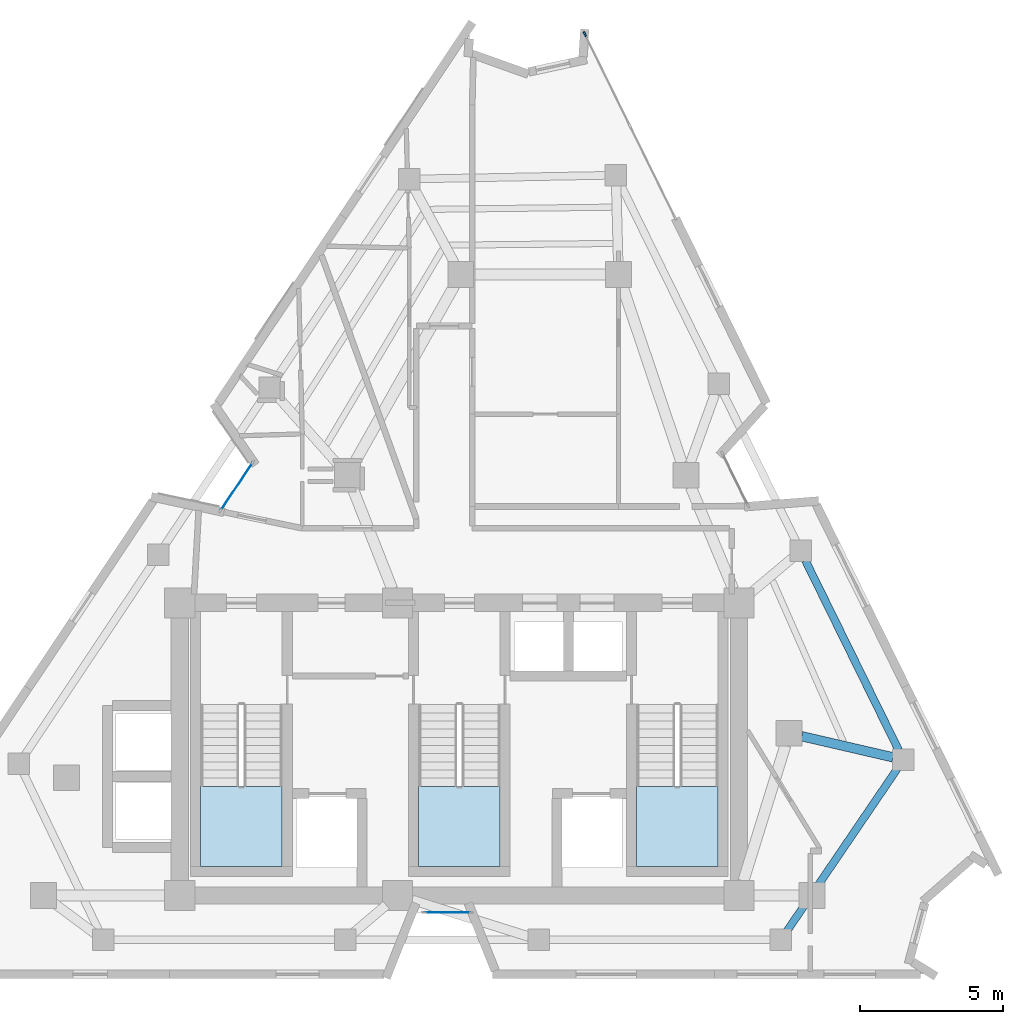
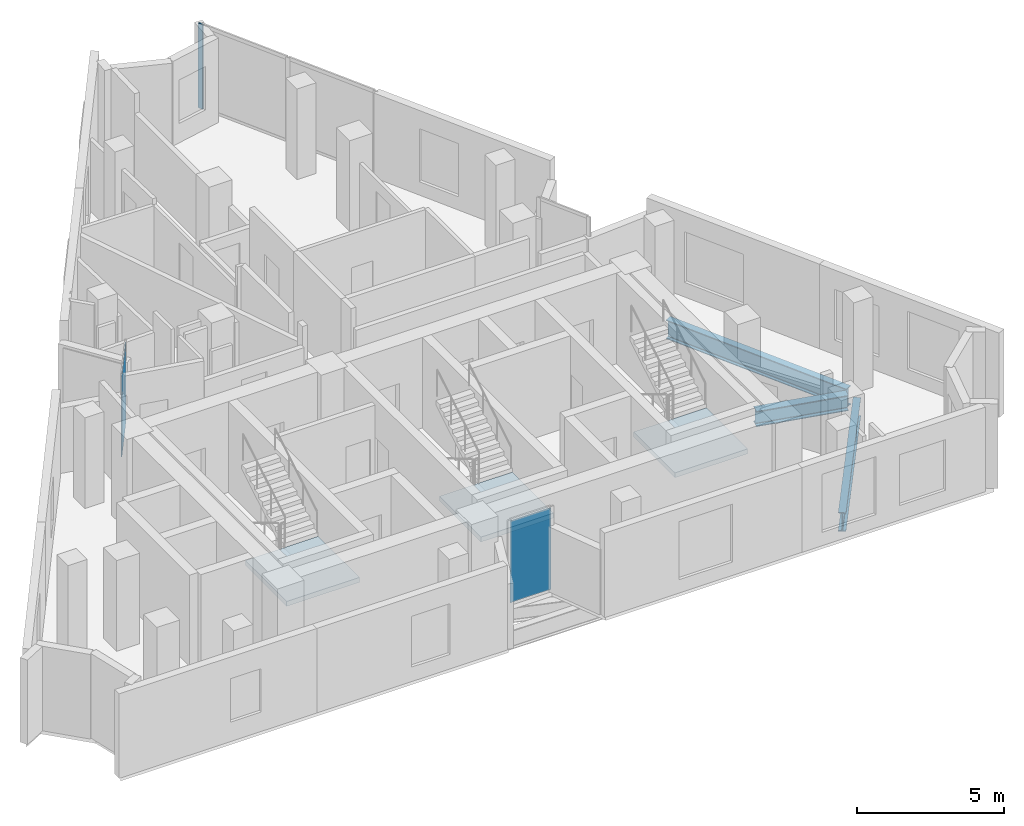
# One storey, part 4 of 10: 3 beams, 3 slabs, 2 plates, 1 member, 6 elements without a shape of their own.
"""IFC4 building model written with IfcOpenShell, lengths in metres."""

from ifc_helpers import new_model, si_unit, direction, frame, origin, origin_2d, place, context, subcontext, project, spatial, polyline, rectangle, i_section, outline, extrude, material, layer, layer_set, material_profile, profile_set, type_object, element, aggregate, save


model = new_model("IFC4")

# Units and contexts
model_context = context("Model", 3, precision=1e-05, world=origin(), true_north=direction((0.0, 1.0)))
body_context = subcontext(model_context, "Body", "Model", "MODEL_VIEW")
ifc_project = project(units=[si_unit("LENGTHUNIT", "METRE"), si_unit("AREAUNIT", "SQUARE_METRE"), si_unit("VOLUMEUNIT", "CUBIC_METRE"), si_unit("PLANEANGLEUNIT", "RADIAN"), si_unit("MASSUNIT", "GRAM", prefix="KILO")], contexts=[model_context])

# Site, building, storey
site_placement = place(None, origin())
site = spatial("IfcSite", under=ifc_project, at=site_placement, CompositionType="ELEMENT")
building_placement = place(site_placement, origin())
building = spatial("IfcBuilding", under=site, at=building_placement, Name="Almagre Mirador Tower", CompositionType="ELEMENT")
storey_placement = place(building_placement, frame((0.0, 0.0, 278.25)))
storey = spatial("IfcBuildingStorey", under=building, at=storey_placement, Name="L72", CompositionType="ELEMENT", Elevation=278.25)

# Beams
ifc_material_1 = material(Name="Steel ASTM A992 Grade 50", Category="steel")
ifc_material_profile_1 = material_profile(ifc_material_1, i_section(OverallWidth=0.26708984375, OverallDepth=0.779052734375, WebThickness=0.0166015625, FlangeThickness=0.030029296875, FilletRadius=0.02392578125, at=origin_2d()), Name="W30X148")
ifc_profile_set_1 = profile_set([ifc_material_profile_1], Name="Steel ASTM A992 Grade 50")
beam_type_1 = type_object("IfcBeamType", Name="BM-SPN-W30X148", PredefinedType="SPANDREL", material=ifc_profile_set_1)
beam_1_placement = place(storey_placement, frame((48.726806640625, 3.31005859375, -0.639404296875), z_axis=(0.562310021407, 0.82692650207, 0.0), x_axis=(-0.82692650207, 0.562310021407, 0.0)))
element("IfcBeam", 1, at=beam_1_placement, inside=storey, type_object=beam_type_1, Name="L72 perimeter spandrel beam PC04-PC05", PredefinedType="SPANDREL", context=body_context, shape_type="SweptSolid", body=[
    extrude(i_section(OverallWidth=0.26708984375, OverallDepth=0.779052734375, WebThickness=0.0166015625, FlangeThickness=0.030029296875, FilletRadius=0.02392578125, at=origin_2d()), origin(), (0.0, 0.0, 1.0), 6.842041015625),
])
beam_2_placement = place(storey_placement, frame((52.619384765625, 9.614501953125, -0.639404296875), z_axis=(-0.441261435998, 0.897378596302, 0.0), x_axis=(-0.897378596302, -0.441261435998, 0.0)))
element("IfcBeam", 2, at=beam_2_placement, inside=storey, type_object=beam_type_1, Name="L72 perimeter spandrel beam PC05-PC06", PredefinedType="SPANDREL", context=body_context, shape_type="SweptSolid", body=[
    extrude(i_section(OverallWidth=0.26708984375, OverallDepth=0.779052734375, WebThickness=0.0166015625, FlangeThickness=0.030029296875, FilletRadius=0.02392578125, at=origin_2d()), origin(), (0.0, 0.0, 1.0), 7.362548828125),
])
ifc_material_2 = material(Name="Steel ASTM A992 Grade 50", Category="steel")
ifc_material_profile_2 = material_profile(ifc_material_2, i_section(OverallWidth=0.330078125, OverallDepth=0.635009765625, WebThickness=0.017822265625, FlangeThickness=0.031005859375, FilletRadius=0.02001953125, at=origin_2d()), Name="W24X162")
ifc_profile_set_2 = profile_set([ifc_material_profile_2], Name="Steel ASTM A992 Grade 50")
beam_type_2 = type_object("IfcBeamType", Name="BM-STL-W24X162", PredefinedType="BEAM", material=ifc_profile_set_2)
beam_3_placement = place(storey_placement, frame((52.419677734375, 9.362548828125, -0.5673828125), z_axis=(-0.974262507949, 0.225416427094, 0.0), x_axis=(-0.225416427094, -0.974262507949, 0.0)))
element("IfcBeam", 3, at=beam_3_placement, inside=storey, type_object=beam_type_2, Name="L72 radial floor girder PC05-MC3", PredefinedType="BEAM", context=body_context, shape_type="SweptSolid", body=[
    extrude(i_section(OverallWidth=0.330078125, OverallDepth=0.635009765625, WebThickness=0.017822265625, FlangeThickness=0.031005859375, FilletRadius=0.02001953125, at=origin_2d()), origin(), (0.0, 0.0, 1.0), 3.265380859375),
])

# Curtain wall, member
ifc_material_3 = material(Name="Black anodized aluminium", Category="aluminium")
ifc_layer_1 = layer(ifc_material_3, 0.199951171875)
ifc_layer_set_1 = layer_set([ifc_layer_1], Name="Black anodized aluminium")
curtain_wall_type_1 = type_object("IfcCurtainWallType", Name="CW-RES-H-SYS", PredefinedType="NOTDEFINED", material=ifc_layer_set_1)
curtain_wall_1_placement = place(storey_placement, origin())
curtain_wall_1 = element("IfcCurtainWall", 4, at=curtain_wall_1_placement, inside=storey, type_object=curtain_wall_type_1, Name="L72 curtain wall run 02", PredefinedType="NOTDEFINED")
ifc_material_4 = material(Name="Black anodized aluminium", Category="aluminium")
ifc_material_profile_3 = material_profile(ifc_material_4, rectangle(XDim=0.06494140625, YDim=0.179931640625, at=origin_2d()), Name="CWM65X180")
ifc_profile_set_3 = profile_set([ifc_material_profile_3], Name="Black anodized aluminium")
member_type = type_object("IfcMemberType", Name="MBR-CWM65X180", PredefinedType="MULLION", material=ifc_profile_set_3)
member_placement = place(storey_placement, frame((41.679443359375, 34.581787109375, 0.0), z_axis=(0.0, 0.0, 1.0), x_axis=(0.897355834196, 0.441307723516, 0.0)))
member = element("IfcMember", 5, at=member_placement, type_object=member_type, Name="CW-3 mullion 1", PredefinedType="MULLION", context=body_context, shape_type="SweptSolid", body=[
    extrude(rectangle(XDim=0.06494140625, YDim=0.179931640625, at=origin_2d()), origin(), (0.0, 0.0, 1.0), 3.5),
])
aggregate(curtain_wall_1, [member])

# Curtain wall, plate
ifc_material_5 = material(Name="Black anodized aluminium", Category="aluminium")
ifc_layer_2 = layer(ifc_material_5, 0.169921875)
ifc_layer_set_2 = layer_set([ifc_layer_2], Name="Black anodized aluminium")
curtain_wall_type_2 = type_object("IfcCurtainWallType", Name="CW-CRS-SYS", PredefinedType="NOTDEFINED", material=ifc_layer_set_2)
curtain_wall_2_placement = place(storey_placement, origin())
curtain_wall_2 = element("IfcCurtainWall", 6, at=curtain_wall_2_placement, inside=storey, type_object=curtain_wall_type_2, Name="L72 vertical crease curtain wall 01", PredefinedType="NOTDEFINED")
ifc_material_6 = material(Name="Dark solar-control laminated hurricane glass", Category="glass")
ifc_layer_3 = layer(ifc_material_6, 0.028076171875)
ifc_layer_set_3 = layer_set([ifc_layer_3], Name="Dark solar-control laminated hurricane glass")
plate_type = type_object("IfcPlateType", Name="PLT-GLZ-28", PredefinedType="CURTAIN_PANEL", material=ifc_layer_set_3)
plate_1_placement = place(storey_placement, frame((29.5380859375, 18.805908203125, 0.06005859375), z_axis=(0.0, 0.0, 1.0), x_axis=(0.555141875507, 0.831755672093, 0.0)))
plate_1 = element("IfcPlate", 7, at=plate_1_placement, type_object=plate_type, Name="CW-4 panel 1.1", PredefinedType="CURTAIN_PANEL", context=body_context, shape_type="SweptSolid", body=[
    extrude(rectangle(XDim=1.969482421875, YDim=0.028076171875, at=origin_2d()), origin(), (0.0, 0.0, 1.0), 3.3798828125),
])
aggregate(curtain_wall_2, [plate_1])

curtain_wall_3_placement = place(storey_placement, origin())
curtain_wall_3 = element("IfcCurtainWall", 8, at=curtain_wall_3_placement, inside=storey, type_object=curtain_wall_type_2, Name="L72 vertical crease curtain wall 04", PredefinedType="NOTDEFINED")
plate_2_placement = place(storey_placement, frame((36.889892578125, 3.949951171875, 0.06005859375), z_axis=(0.0, 0.0, 1.0), x_axis=(-1.0, 0.0, 0.0)))
plate_2 = element("IfcPlate", 9, at=plate_2_placement, type_object=plate_type, Name="CW-4 panel 1.1", PredefinedType="CURTAIN_PANEL", context=body_context, shape_type="SweptSolid", body=[
    extrude(rectangle(XDim=1.590087890625, YDim=0.028076171875, at=origin_2d()), origin(), (0.0, 0.0, 1.0), 3.3798828125),
])
aggregate(curtain_wall_3, [plate_2])

# Stair, slab
ifc_material_7 = material(Name="Concrete C45/55", Category="concrete")
stair_type = type_object("IfcStairType", Name="STR-DL-3750", PredefinedType="HALF_TURN_STAIR", material=ifc_material_7)
stair_1_placement = place(storey_placement, origin())
stair_1 = element("IfcStair", 10, at=stair_1_placement, inside=storey, type_object=stair_type, Name="L72 Protected exit stair ST-1", PredefinedType="HALF_TURN_STAIR")
ifc_material_8 = material(Name="Concrete C45/55", Category="concrete")
ifc_layer_4 = layer(ifc_material_8, 0.199951171875)
ifc_layer_set_4 = layer_set([ifc_layer_4], Name="Concrete C45/55")
slab_type = type_object("IfcSlabType", Name="SLB-LND-200", PredefinedType="LANDING", material=ifc_layer_set_4)
slab_1_placement = place(storey_placement, frame((0.0, 0.0, 1.675048828125)))
slab_1 = element("IfcSlab", 11, at=slab_1_placement, type_object=slab_type, Name="ST-1 landing 1", PredefinedType="LANDING", context=body_context, shape_type="SweptSolid", body=[
    extrude(outline(polyline([(28.27490234375, 8.35009765625), (28.27490234375, 5.550048828125), (31.125, 5.550048828125), (31.125, 8.35009765625), (28.27490234375, 8.35009765625)])), origin(), (0.0, 0.0, 1.0), 0.199951171875),
])
aggregate(stair_1, [slab_1])

stair_2_placement = place(storey_placement, origin())
stair_2 = element("IfcStair", 12, at=stair_2_placement, inside=storey, type_object=stair_type, Name="L72 Protected exit stair ST-2", PredefinedType="HALF_TURN_STAIR")
slab_2_placement = place(storey_placement, frame((0.0, 0.0, 1.675048828125)))
slab_2 = element("IfcSlab", 13, at=slab_2_placement, type_object=slab_type, Name="ST-2 landing 1", PredefinedType="LANDING", context=body_context, shape_type="SweptSolid", body=[
    extrude(outline(polyline([(35.875, 8.35009765625), (35.875, 5.550048828125), (38.72509765625, 5.550048828125), (38.72509765625, 8.35009765625), (35.875, 8.35009765625)])), origin(), (0.0, 0.0, 1.0), 0.199951171875),
])
aggregate(stair_2, [slab_2])

stair_3_placement = place(storey_placement, origin())
stair_3 = element("IfcStair", 14, at=stair_3_placement, inside=storey, type_object=stair_type, Name="L72 Protected exit stair ST-3", PredefinedType="HALF_TURN_STAIR")
slab_3_placement = place(storey_placement, frame((0.0, 0.0, 1.675048828125)))
slab_3 = element("IfcSlab", 15, at=slab_3_placement, type_object=slab_type, Name="ST-3 landing 1", PredefinedType="LANDING", context=body_context, shape_type="SweptSolid", body=[
    extrude(outline(polyline([(43.47509765625, 8.35009765625), (43.47509765625, 5.550048828125), (46.324951171875, 5.550048828125), (46.324951171875, 8.35009765625), (43.47509765625, 8.35009765625)])), origin(), (0.0, 0.0, 1.0), 0.199951171875),
])
aggregate(stair_3, [slab_3])

save(model, "model.ifc")
